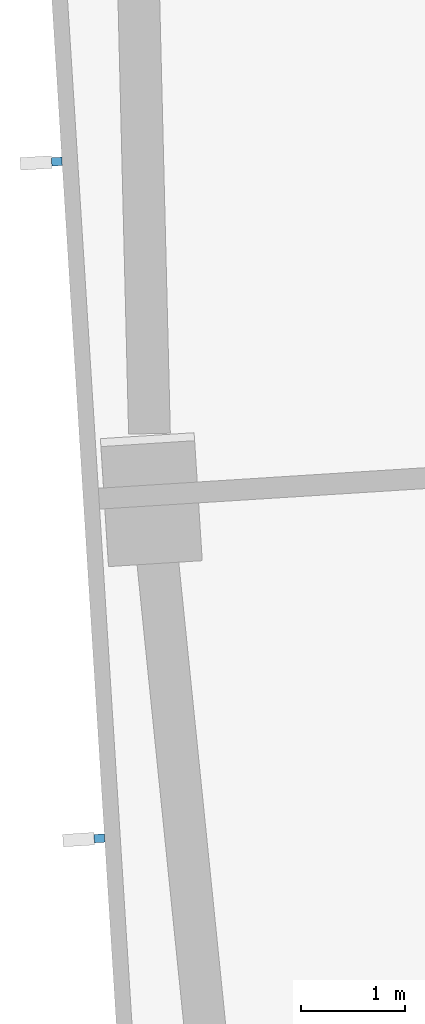
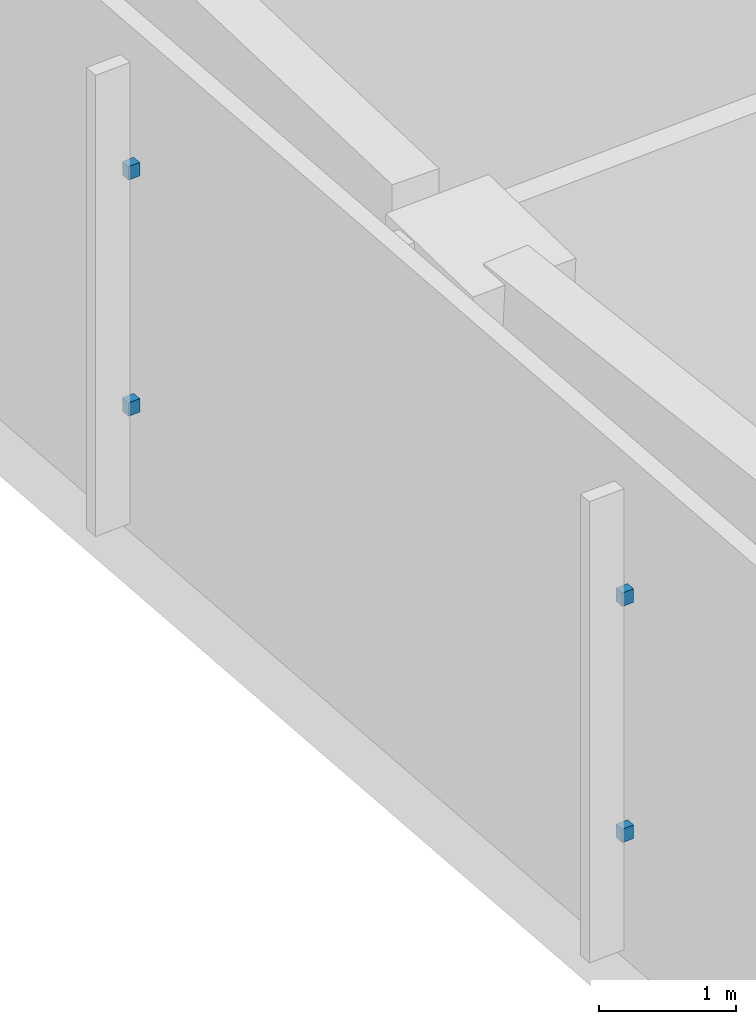
# One storey, part 7 of 16: 4 discrete accessories.
"""IFC4 building model written with IfcOpenShell, lengths in metres."""

from ifc_helpers import new_model, si_unit, direction, frame, origin, origin_2d, place, context, subcontext, project, spatial, rectangle, extrude, element, save


model = new_model("IFC4")

# Units and contexts
model_context = context("Model", 3, precision=1e-05, world=origin(), true_north=direction((0.0, 1.0)))
body_context = subcontext(model_context, "Body", "Model", "MODEL_VIEW")
ifc_project = project(units=[si_unit("LENGTHUNIT", "METRE"), si_unit("AREAUNIT", "SQUARE_METRE"), si_unit("VOLUMEUNIT", "CUBIC_METRE"), si_unit("PLANEANGLEUNIT", "RADIAN"), si_unit("MASSUNIT", "GRAM", prefix="KILO")], contexts=[model_context])

# Site, building, storey
site_placement = place(None, origin())
site = spatial("IfcSite", under=ifc_project, at=site_placement, CompositionType="ELEMENT")
building_placement = place(site_placement, origin())
building = spatial("IfcBuilding", under=site, at=building_placement, Name="Verdalira Terraces Hotel", CompositionType="ELEMENT")
storey_placement = place(building_placement, frame((0.0, 0.0, 169.0)))
storey = spatial("IfcBuildingStorey", under=building, at=storey_placement, Name="L41", CompositionType="ELEMENT", Elevation=169.0)

# Discrete accessories
for number, where, z_axis, x_axis, name in (
    (1, (-24.464355, 1.717285, 1.139893), (0.0, 0.0, 1.0), (0.06279052, -0.998026728, 0.0), "Fin bracket"),
    (2, (-24.464355, 1.717285, 3.23999), (0.0, 0.0, 1.0), (0.06279052, -0.998026728, 0.0), "Fin bracket"),
    (3, (-24.056396, -4.77002, 1.139893), (0.0, 0.0, 1.0), (0.06279052, -0.998026728, 0.0), "Fin bracket"),
    (4, (-24.056396, -4.77002, 3.23999), (0.0, 0.0, 1.0), (0.06279052, -0.998026728, 0.0), "Fin bracket"),
):
    element("IfcDiscreteAccessory", number, at=place(storey_placement, frame(where, z_axis=z_axis, x_axis=x_axis)), inside=storey, Name=name, PredefinedType="BRACKET", context=body_context, shape_type="SweptSolid", body=[
        extrude(rectangle(XDim=0.080078, YDim=0.100098, at=origin_2d()), origin(), (0.0, 0.0, 1.0), 0.120117),
    ])

save(model, "model.ifc")
